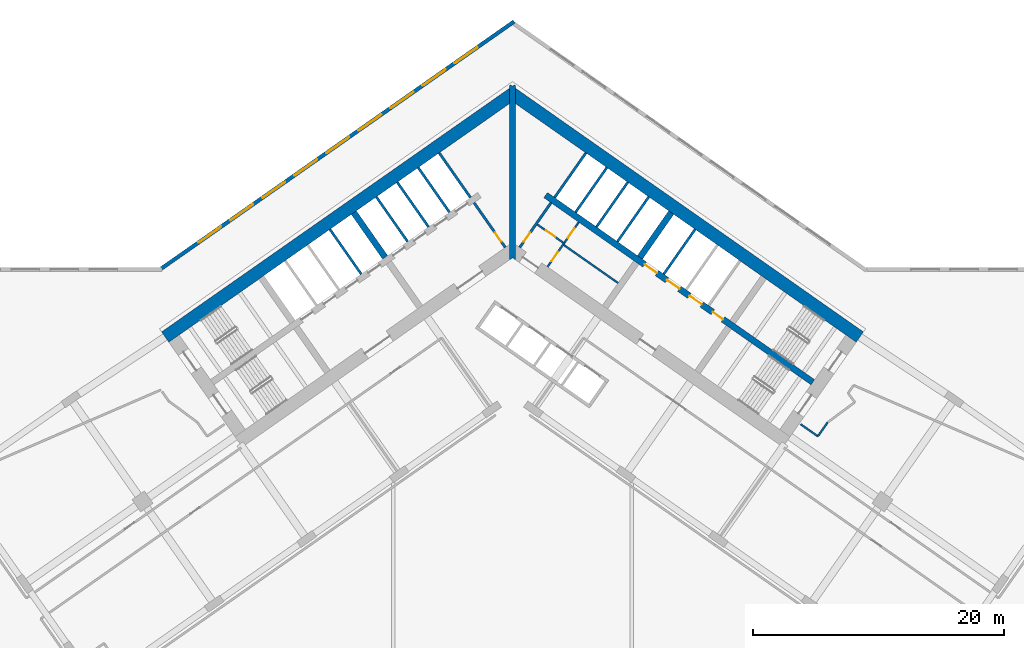
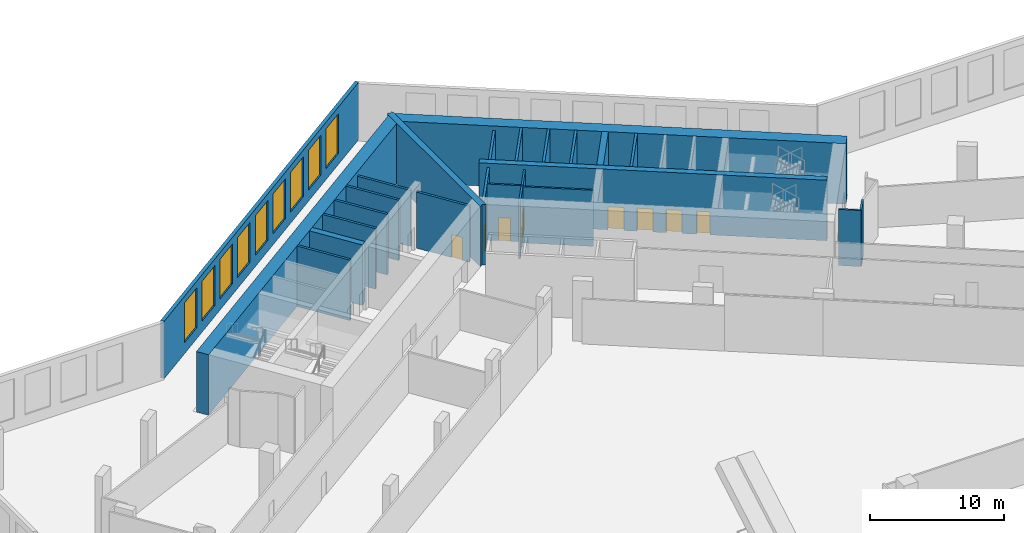
# One storey, part 11 of 26: 24 walls, 9 doors, 9 windows, 18 openings.
"""IFC4 building model written with IfcOpenShell, lengths in metres."""

from ifc_helpers import new_model, si_unit, direction, frame, frame_2d, origin, place, context, subcontext, project, spatial, polyline, rectangle, outline, extrude, material, layer, layer_set, type_object, element, fill, save


model = new_model("IFC4")

# Units and contexts
model_context = context("Model", 3, precision=1e-05, world=origin(), true_north=direction((0.0, 1.0)))
body_context = subcontext(model_context, "Body", "Model", "MODEL_VIEW")
ifc_project = project(units=[si_unit("LENGTHUNIT", "METRE"), si_unit("AREAUNIT", "SQUARE_METRE"), si_unit("VOLUMEUNIT", "CUBIC_METRE"), si_unit("PLANEANGLEUNIT", "RADIAN"), si_unit("MASSUNIT", "GRAM", prefix="KILO")], contexts=[model_context])

# Site, building, storey
site_placement = place(None, origin())
site = spatial("IfcSite", under=ifc_project, at=site_placement, CompositionType="ELEMENT")
building_placement = place(site_placement, origin())
building = spatial("IfcBuilding", under=site, at=building_placement, Name="Tel Ilan Convention Tower", CompositionType="ELEMENT")
storey_placement = place(building_placement, frame((0.0, 0.0, 32.0)))
storey = spatial("IfcBuildingStorey", under=building, at=storey_placement, Name="L04", CompositionType="ELEMENT", Elevation=32.0)

# Wall, openings, doors
ifc_material_1 = material(Name="Gypsum Plasterboard on Steel Stud", Category="steel")
ifc_layer_1 = layer(ifc_material_1, 0.14990234375)
ifc_layer_set_1 = layer_set([ifc_layer_1], Name="Core Room Partition Wall 150 mm EI 60")
wall_type_1 = type_object("IfcWallType", Name="Core Room Partition Wall 150 mm EI 60", PredefinedType="PARTITIONING", material=ifc_layer_set_1)
wall_1_placement = place(storey_placement, frame((2.78515625, -1.9501953125, 0.0), z_axis=(0.0, 0.0, 1.0), x_axis=(0.57356780395, 0.819158088694, 0.0)))
wall_1 = element("IfcWall", 1, at=wall_1_placement, inside=storey, type_object=wall_type_1, Name="L04 core wall wc-v1", PredefinedType="PARTITIONING", context=body_context, shape_type="SweptSolid", body=[
    extrude(rectangle(XDim=4.35009765625, YDim=0.14990234375, at=frame_2d((2.175048828125, 0.0))), origin(), (0.0, 0.0, 1.0), 5.10009765625),
])
opening_1_placement = place(wall_1_placement, frame((0.550048828125, 0.0, 0.0)))
opening_1 = element("IfcOpeningElement", 2, at=opening_1_placement, cuts=wall_1, Name="Opening CD0709", PredefinedType="OPENING", context=body_context, shape_type="SweptSolid", body=[
    extrude(rectangle(XDim=0.89990234375, YDim=2.10009765625, at=frame_2d((0.449951171875, 1.050048828125))), frame((0.0, 0.0849609375, 0.0), z_axis=(0.0, -1.0, 0.0), x_axis=(1.0, 0.0, 0.0)), (0.0, 0.0, 1.0), 0.169921875),
])
opening_2_placement = place(wall_1_placement, frame((2.824951171875, 0.0, 0.0)))
opening_2 = element("IfcOpeningElement", 3, at=opening_2_placement, cuts=wall_1, Name="Opening CD0710", PredefinedType="OPENING", context=body_context, shape_type="SweptSolid", body=[
    extrude(rectangle(XDim=0.89990234375, YDim=2.10009765625, at=frame_2d((0.449951171875, 1.050048828125))), frame((0.0, 0.0849609375, 0.0), z_axis=(0.0, -1.0, 0.0), x_axis=(1.0, 0.0, 0.0)), (0.0, 0.0, 1.0), 0.169921875),
])
ifc_material_2 = material(Name="Laminated Timber Door Leaf", Category="wood")
door_type_1 = type_object("IfcDoorType", Name="Toilet Door 900 x 2100 FD30S", OperationType="NOTDEFINED", PredefinedType="DOOR", material=ifc_material_2)
door_1_placement = place(opening_1_placement, origin())
door_1 = element("IfcDoor", 4, at=door_1_placement, inside=storey, type_object=door_type_1, Name="Women's WC door", OperationType="SINGLE_SWING_RIGHT", OverallHeight=2.10009765625, OverallWidth=0.89990234375, PredefinedType="DOOR", context=body_context, shape_type="SweptSolid", body=[
    extrude(rectangle(XDim=0.89990234375, YDim=2.10009765625, at=frame_2d((0.449951171875, 1.050048828125))), frame((0.0, 0.02490234375, 0.0), z_axis=(0.0, -1.0, 0.0), x_axis=(1.0, 0.0, 0.0)), (0.0, 0.0, 1.0), 0.050048828125),
])
fill(opening_1, door_1)
door_2_placement = place(opening_2_placement, origin())
door_2 = element("IfcDoor", 5, at=door_2_placement, inside=storey, type_object=door_type_1, Name="Men's WC door", OperationType="SINGLE_SWING_RIGHT", OverallHeight=2.10009765625, OverallWidth=0.89990234375, PredefinedType="DOOR", context=body_context, shape_type="SweptSolid", body=[
    extrude(rectangle(XDim=0.89990234375, YDim=2.10009765625, at=frame_2d((0.449951171875, 1.050048828125))), frame((0.0, 0.02490234375, 0.0), z_axis=(0.0, -1.0, 0.0), x_axis=(1.0, 0.0, 0.0)), (0.0, 0.0, 1.0), 0.050048828125),
])
fill(opening_2, door_2)

# Wall, opening, door
wall_2_placement = place(storey_placement, frame((1.974609375, 1.42529296875, 0.0), z_axis=(0.0, 0.0, 1.0), x_axis=(0.819103967032, -0.573645091666, 0.0)))
wall_2 = element("IfcWall", 6, at=wall_2_placement, inside=storey, type_object=wall_type_1, Name="L04 core wall wc-h1", PredefinedType="PARTITIONING", context=body_context, shape_type="SweptSolid", body=[
    extrude(rectangle(XDim=2.599853515625, YDim=0.14990234375, at=frame_2d((1.2998046875, 0.0))), origin(), (0.0, 0.0, 1.0), 5.10009765625),
])
opening_3_placement = place(wall_2_placement, frame((0.85009765625, 0.0, 0.0)))
opening_3 = element("IfcOpeningElement", 7, at=opening_3_placement, cuts=wall_2, Name="Opening CD0708", PredefinedType="OPENING", context=body_context, shape_type="SweptSolid", body=[
    extrude(rectangle(XDim=0.89990234375, YDim=2.10009765625, at=frame_2d((0.449951171875, 1.050048828125))), frame((0.0, 0.0849609375, 0.0), z_axis=(0.0, -1.0, 0.0), x_axis=(1.0, 0.0, 0.0)), (0.0, 0.0, 1.0), 0.169921875),
])
door_3_placement = place(opening_3_placement, origin())
door_3 = element("IfcDoor", 8, at=door_3_placement, inside=storey, type_object=door_type_1, Name="Accessible WC door", OperationType="SINGLE_SWING_RIGHT", OverallHeight=2.10009765625, OverallWidth=0.89990234375, PredefinedType="DOOR", context=body_context, shape_type="SweptSolid", body=[
    extrude(rectangle(XDim=0.89990234375, YDim=2.10009765625, at=frame_2d((0.449951171875, 1.050048828125))), frame((0.0, 0.02490234375, 0.0), z_axis=(0.0, -1.0, 0.0), x_axis=(1.0, 0.0, 0.0)), (0.0, 0.0, 1.0), 0.050048828125),
])
fill(opening_3, door_3)

# Wall
wall_3_placement = place(storey_placement, frame((4.03271484375, -0.16845703125, 0.0), z_axis=(0.0, 0.0, 1.0), x_axis=(0.819146154531, -0.573584847705, 0.0)))
element("IfcWall", 9, at=wall_3_placement, inside=storey, type_object=wall_type_1, Name="L04 core wall wc-h2", PredefinedType="PARTITIONING", context=body_context, shape_type="SweptSolid", body=[
    extrude(rectangle(XDim=5.349853515625, YDim=0.14990234375, at=frame_2d((2.6748046875, 0.0))), origin(), (0.0, 0.0, 1.0), 5.10009765625),
])

# Wall, opening, door
ifc_material_3 = material(Name="Concrete C30/37", Category="concrete")
ifc_layer_2 = layer(ifc_material_3, 0.199951171875)
ifc_layer_set_2 = layer_set([ifc_layer_2], Name="Core Service Room Wall 200 mm C30/37")
wall_type_2 = type_object("IfcWallType", Name="Core Service Room Wall 200 mm C30/37", PredefinedType="SOLIDWALL", material=ifc_layer_set_2)
wall_4_placement = place(storey_placement, frame((-0.573486328125, -0.401611328125, 0.0), z_axis=(0.0, 0.0, 1.0), x_axis=(-0.57356780395, 0.819158088694, 0.0)))
wall_4 = element("IfcWall", 10, at=wall_4_placement, inside=storey, type_object=wall_type_2, Name="L04 core wall apex-W", PredefinedType="SOLIDWALL", context=body_context, shape_type="SweptSolid", body=[
    extrude(rectangle(XDim=4.35009765625, YDim=0.199951171875, at=frame_2d((2.175048828125, 0.0))), origin(), (0.0, 0.0, 1.0), 5.10009765625),
])
opening_4_placement = place(wall_4_placement, frame((0.550048828125, 0.0, 0.0)))
opening_4 = element("IfcOpeningElement", 11, at=opening_4_placement, cuts=wall_4, Name="Opening CD0702", PredefinedType="OPENING", context=body_context, shape_type="SweptSolid", body=[
    extrude(rectangle(XDim=0.89990234375, YDim=2.10009765625, at=frame_2d((0.449951171875, 1.050048828125))), frame((0.0, 0.10986328125, 0.0), z_axis=(0.0, -1.0, 0.0), x_axis=(1.0, 0.0, 0.0)), (0.0, 0.0, 1.0), 0.219970703125),
])
ifc_material_4 = material(Name="Galvanised Steel Door Leaf", Category="steel")
door_type_2 = type_object("IfcDoorType", Name="Service Room Door 900 x 2100 FD60", OperationType="NOTDEFINED", PredefinedType="DOOR", material=ifc_material_4)
door_4_placement = place(opening_4_placement, origin())
door_4 = element("IfcDoor", 12, at=door_4_placement, inside=storey, type_object=door_type_2, Name="Electrical Room door", OperationType="SINGLE_SWING_RIGHT", OverallHeight=2.10009765625, OverallWidth=0.89990234375, PredefinedType="DOOR", context=body_context, shape_type="SweptSolid", body=[
    extrude(rectangle(XDim=0.89990234375, YDim=2.10009765625, at=frame_2d((0.449951171875, 1.050048828125))), frame((0.0, 0.02490234375, 0.0), z_axis=(0.0, -1.0, 0.0), x_axis=(1.0, 0.0, 0.0)), (0.0, 0.0, 1.0), 0.050048828125),
])
fill(opening_4, door_4)

# Wall
wall_5_placement = place(storey_placement, frame((-3.355224609375, 3.5712890625, 0.0), z_axis=(0.0, 0.0, 1.0), x_axis=(-0.57356780395, 0.819158088694, 0.0)))
element("IfcWall", 13, at=wall_5_placement, inside=storey, type_object=wall_type_2, Name="L04 core wall apex-W-b", PredefinedType="SOLIDWALL", context=body_context, shape_type="SweptSolid", body=[
    extrude(rectangle(XDim=4.35009765625, YDim=0.199951171875, at=frame_2d((2.175048828125, 0.0))), origin(), (0.0, 0.0, 1.0), 5.10009765625),
])

# Wall, opening, door
wall_6_placement = place(storey_placement, frame((0.573486328125, -0.401611328125, 0.0), z_axis=(0.0, 0.0, 1.0), x_axis=(0.57356780395, 0.819158088694, 0.0)))
wall_6 = element("IfcWall", 14, at=wall_6_placement, inside=storey, type_object=wall_type_2, Name="L04 core wall apex-E", PredefinedType="SOLIDWALL", context=body_context, shape_type="SweptSolid", body=[
    extrude(rectangle(XDim=4.35009765625, YDim=0.199951171875, at=frame_2d((2.175048828125, 0.0))), origin(), (0.0, 0.0, 1.0), 5.10009765625),
])
opening_5_placement = place(wall_6_placement, frame((0.550048828125, 0.0, 0.0)))
opening_5 = element("IfcOpeningElement", 15, at=opening_5_placement, cuts=wall_6, Name="Opening CD0701", PredefinedType="OPENING", context=body_context, shape_type="SweptSolid", body=[
    extrude(rectangle(XDim=0.89990234375, YDim=2.10009765625, at=frame_2d((0.449951171875, 1.050048828125))), frame((0.0, 0.10986328125, 0.0), z_axis=(0.0, -1.0, 0.0), x_axis=(1.0, 0.0, 0.0)), (0.0, 0.0, 1.0), 0.219970703125),
])
door_5_placement = place(opening_5_placement, origin())
door_5 = element("IfcDoor", 16, at=door_5_placement, inside=storey, type_object=door_type_2, Name="Store Room door", OperationType="SINGLE_SWING_RIGHT", OverallHeight=2.10009765625, OverallWidth=0.89990234375, PredefinedType="DOOR", context=body_context, shape_type="SweptSolid", body=[
    extrude(rectangle(XDim=0.89990234375, YDim=2.10009765625, at=frame_2d((0.449951171875, 1.050048828125))), frame((0.0, 0.02490234375, 0.0), z_axis=(0.0, -1.0, 0.0), x_axis=(1.0, 0.0, 0.0)), (0.0, 0.0, 1.0), 0.050048828125),
])
fill(opening_5, door_5)

# Walls
wall_7_placement = place(storey_placement, frame((3.355224609375, 3.5712890625, 0.0), z_axis=(0.0, 0.0, 1.0), x_axis=(0.57356780395, 0.819158088694, 0.0)))
element("IfcWall", 17, at=wall_7_placement, inside=storey, type_object=wall_type_2, Name="L04 core wall apex-E-b", PredefinedType="SOLIDWALL", context=body_context, shape_type="SweptSolid", body=[
    extrude(rectangle(XDim=4.35009765625, YDim=0.199951171875, at=frame_2d((2.175048828125, 0.0))), origin(), (0.0, 0.0, 1.0), 5.10009765625),
])
ifc_material_5 = material(Name="Concrete C60/75", Category="concrete")
ifc_layer_3 = layer(ifc_material_5, 1.0)
ifc_layer_set_3 = layer_set([ifc_layer_3], Name="Core Shear Wall 1000 mm C60/75")
wall_type_3 = type_object("IfcWallType", Name="Core Shear Wall 1000 mm C60/75", PredefinedType="SHEAR", material=ifc_layer_set_3)
wall_8_placement = place(storey_placement, frame((0.036865234375, 11.8671875, 0.0), z_axis=(0.0, 0.0, 1.0), x_axis=(-0.819155306259, -0.573571777746, 0.0)))
element("IfcWall", 18, at=wall_8_placement, inside=storey, type_object=wall_type_3, Name="L04 core wall W-back", PredefinedType="SHEAR", context=body_context, shape_type="SweptSolid", body=[
    extrude(outline(polyline([(33.8369140625, 0.5), (0.7001953125, 0.499755859375), (0.0, -0.5), (33.8369140625, -0.5), (33.8369140625, 0.5)])), origin(), (0.0, 0.0, 1.0), 5.5),
])
wall_9_placement = place(storey_placement, frame((-0.036865234375, 11.8671875, 0.0), z_axis=(0.0, 0.0, 1.0), x_axis=(0.819155306259, -0.573571777746, 0.0)))
element("IfcWall", 19, at=wall_9_placement, inside=storey, type_object=wall_type_3, Name="L04 core wall E-back", PredefinedType="SHEAR", context=body_context, shape_type="SweptSolid", body=[
    extrude(outline(polyline([(33.8369140625, 0.5), (0.0, 0.5), (0.7001953125, -0.499755859375), (33.8369140625, -0.5), (33.8369140625, 0.5)])), origin(), (0.0, 0.0, 1.0), 5.5),
])
ifc_material_6 = material(Name="Concrete C60/75", Category="concrete")
ifc_layer_4 = layer(ifc_material_6, 0.5)
ifc_layer_set_4 = layer_set([ifc_layer_4], Name="Core Shear Wall 500 mm C60/75")
wall_type_4 = type_object("IfcWallType", Name="Core Shear Wall 500 mm C60/75", PredefinedType="SHEAR", material=ifc_layer_set_4)
for number, where, z_axis, x_axis, name in (
    (20, (-10.154296875, -1.189208984375, 0.0), (0.0, 0.0, 1.0), (-0.573594173421, 0.819139624372, 0.0), "L04 core wall W-cross1-2"),
    (21, (10.154296875, -1.189208984375, 0.0), (0.0, 0.0, 1.0), (0.573594173421, 0.819139624372, 0.0), "L04 core wall E-cross1-2"),
):
    element("IfcWall", number, at=place(storey_placement, frame(where, z_axis=z_axis, x_axis=x_axis)), inside=storey, type_object=wall_type_4, Name=name, PredefinedType="SHEAR", context=body_context, shape_type="SweptSolid", body=[
        extrude(outline(polyline([(4.349853515625, -0.25), (4.349853515625, 0.25), (-0.000244140625, 0.25), (-0.000244140625, -0.25), (4.349853515625, -0.25)])), origin(), (0.0, 0.0, 1.0), 5.5),
    ])

# Wall, openings, doors
wall_10_placement = place(storey_placement, frame((2.638427734375, 3.76806640625, 0.0), z_axis=(0.0, 0.0, 1.0), x_axis=(0.819148977158, -0.573580816643, 0.0)))
wall_10 = element("IfcWall", 22, at=wall_10_placement, inside=storey, type_object=wall_type_4, Name="L04 core wall E-spine", PredefinedType="SHEAR", context=body_context, shape_type="SweptSolid", body=[
    extrude(outline(polyline([(0.0, 0.25), (0.0, -0.25), (26.0, -0.249755859375), (26.0, 0.250244140625), (0.0, 0.25)])), origin(), (0.0, 0.0, 1.0), 5.5),
])
opening_6_placement = place(wall_10_placement, frame((9.637451171875, 0.0, 0.0)))
opening_6 = element("IfcOpeningElement", 23, at=opening_6_placement, cuts=wall_10, Name="Opening LD0701", PredefinedType="OPENING", context=body_context, shape_type="SweptSolid", body=[
    extrude(rectangle(XDim=1.199951171875, YDim=2.10009765625, at=frame_2d((0.60009765625, 1.050048828125))), frame((0.0, 0.260009765625, 0.0), z_axis=(0.0, -1.0, 0.0), x_axis=(1.0, 0.0, 0.0)), (0.0, 0.0, 1.0), 0.52001953125),
])
opening_7_placement = place(wall_10_placement, frame((11.8125, 0.0, 0.0)))
opening_7 = element("IfcOpeningElement", 24, at=opening_7_placement, cuts=wall_10, Name="Opening LD0702", PredefinedType="OPENING", context=body_context, shape_type="SweptSolid", body=[
    extrude(rectangle(XDim=1.199951171875, YDim=2.10009765625, at=frame_2d((0.60009765625, 1.050048828125))), frame((0.0, 0.260009765625, 0.0), z_axis=(0.0, -1.0, 0.0), x_axis=(1.0, 0.0, 0.0)), (0.0, 0.0, 1.0), 0.52001953125),
])
opening_8_placement = place(wall_10_placement, frame((13.987548828125, 0.0, 0.0)))
opening_8 = element("IfcOpeningElement", 25, at=opening_8_placement, cuts=wall_10, Name="Opening LD0703", PredefinedType="OPENING", context=body_context, shape_type="SweptSolid", body=[
    extrude(rectangle(XDim=1.199951171875, YDim=2.10009765625, at=frame_2d((0.60009765625, 1.050048828125))), frame((0.0, 0.260009765625, 0.0), z_axis=(0.0, -1.0, 0.0), x_axis=(1.0, 0.0, 0.0)), (0.0, 0.0, 1.0), 0.52001953125),
])
opening_9_placement = place(wall_10_placement, frame((16.262451171875, 0.0, 0.0)))
opening_9 = element("IfcOpeningElement", 26, at=opening_9_placement, cuts=wall_10, Name="Opening CD0707", PredefinedType="OPENING", context=body_context, shape_type="SweptSolid", body=[
    extrude(rectangle(XDim=1.0, YDim=2.10009765625, at=frame_2d((0.5, 1.050048828125))), frame((0.0, 0.260009765625, 0.0), z_axis=(0.0, -1.0, 0.0), x_axis=(1.0, 0.0, 0.0)), (0.0, 0.0, 1.0), 0.52001953125),
])
ifc_material_7 = material(Name="Stainless Steel Sliding Door Leaf", Category="steel")
door_type_3 = type_object("IfcDoorType", Name="Lift Landing Door 1200 x 2100 FD120", OperationType="NOTDEFINED", PredefinedType="DOOR", material=ifc_material_7)
door_6_placement = place(opening_6_placement, origin())
door_6 = element("IfcDoor", 27, at=door_6_placement, inside=storey, type_object=door_type_3, Name="Lift FL1 landing door", OperationType="SLIDING_TO_LEFT", OverallHeight=2.10009765625, OverallWidth=1.199951171875, PredefinedType="DOOR", context=body_context, shape_type="SweptSolid", body=[
    extrude(rectangle(XDim=1.199951171875, YDim=2.10009765625, at=frame_2d((0.60009765625, 1.050048828125))), frame((0.0, 0.02490234375, 0.0), z_axis=(0.0, -1.0, 0.0), x_axis=(1.0, 0.0, 0.0)), (0.0, 0.0, 1.0), 0.050048828125),
])
fill(opening_6, door_6)
door_7_placement = place(opening_7_placement, origin())
door_7 = element("IfcDoor", 28, at=door_7_placement, inside=storey, type_object=door_type_3, Name="Lift FL2 landing door", OperationType="SLIDING_TO_RIGHT", OverallHeight=2.10009765625, OverallWidth=1.199951171875, PredefinedType="DOOR", context=body_context, shape_type="SweptSolid", body=[
    extrude(rectangle(XDim=1.199951171875, YDim=2.10009765625, at=frame_2d((0.60009765625, 1.050048828125))), frame((0.0, 0.02490234375, 0.0), z_axis=(0.0, -1.0, 0.0), x_axis=(1.0, 0.0, 0.0)), (0.0, 0.0, 1.0), 0.050048828125),
])
fill(opening_7, door_7)
door_8_placement = place(opening_8_placement, origin())
door_8 = element("IfcDoor", 29, at=door_8_placement, inside=storey, type_object=door_type_3, Name="Lift FL3 landing door", OperationType="SLIDING_TO_LEFT", OverallHeight=2.10009765625, OverallWidth=1.199951171875, PredefinedType="DOOR", context=body_context, shape_type="SweptSolid", body=[
    extrude(rectangle(XDim=1.199951171875, YDim=2.10009765625, at=frame_2d((0.60009765625, 1.050048828125))), frame((0.0, 0.02490234375, 0.0), z_axis=(0.0, -1.0, 0.0), x_axis=(1.0, 0.0, 0.0)), (0.0, 0.0, 1.0), 0.050048828125),
])
fill(opening_8, door_8)
ifc_material_8 = material(Name="Galvanised Steel Door Leaf", Category="steel")
door_type_4 = type_object("IfcDoorType", Name="Service Room Door 1000 x 2100 FD60", OperationType="NOTDEFINED", PredefinedType="DOOR", material=ifc_material_8)
door_9_placement = place(opening_9_placement, origin())
door_9 = element("IfcDoor", 30, at=door_9_placement, inside=storey, type_object=door_type_4, Name="Plant Room door", OperationType="SINGLE_SWING_RIGHT", OverallHeight=2.10009765625, OverallWidth=1.0, PredefinedType="DOOR", context=body_context, shape_type="SweptSolid", body=[
    extrude(rectangle(XDim=1.0, YDim=2.10009765625, at=frame_2d((0.5, 1.050048828125))), frame((0.0, 0.02490234375, 0.0), z_axis=(0.0, -1.0, 0.0), x_axis=(1.0, 0.0, 0.0)), (0.0, 0.0, 1.0), 0.050048828125),
])
fill(opening_9, door_9)

# Walls
wall_11_placement = place(storey_placement, frame((0.0, -1.395751953125, 0.0), z_axis=(0.0, 0.0, 1.0), x_axis=(0.0, 1.0, 0.0)))
element("IfcWall", 31, at=wall_11_placement, inside=storey, type_object=wall_type_4, Name="L04 core wall K-central", PredefinedType="SHEAR", context=body_context, shape_type="SweptSolid", body=[
    extrude(outline(polyline([(0.0, -0.25), (0.175048828125, -0.25), (1.220703125, -0.25), (12.451904296875, -0.25), (13.84765625, -0.25), (13.85693359375, -0.25), (13.96826171875, -0.172119140625), (13.84765625, 0.0), (13.96826171875, 0.172119140625), (13.85693359375, 0.25), (13.84765625, 0.25), (12.451904296875, 0.25), (1.220703125, 0.25), (0.175048828125, 0.25), (0.0, 0.25), (0.175048828125, 0.0), (0.0, -0.25)])), origin(), (0.0, 0.0, 1.0), 5.5),
])
ifc_material_9 = material(Name="Plasterboard on Steel Studs", Category="steel")
ifc_layer_5 = layer(ifc_material_9, 0.14990234375)
ifc_layer_set_5 = layer_set([ifc_layer_5], Name="Fire-rated Partition 150 EI 60")
wall_type_5 = type_object("IfcWallType", Name="Fire-rated Partition 150 EI 60", PredefinedType="PARTITIONING", material=ifc_layer_set_5)
wall_12_placement = place(storey_placement, frame((22.961181640625, -14.490478515625, 0.0), z_axis=(0.0, 0.0, 1.0), x_axis=(0.819109000826, -0.573637903879, 0.0)))
element("IfcWall", 32, at=wall_12_placement, inside=storey, type_object=wall_type_5, Name="Partition 013", PredefinedType="PARTITIONING", context=body_context, shape_type="SweptSolid", body=[
    extrude(rectangle(XDim=1.679931640625, YDim=0.14990234375, at=frame_2d((0.83984375, 0.0))), origin(), (0.0, 0.0, 1.0), 5.10009765625),
])
wall_13_placement = place(storey_placement, frame((24.337158203125, -15.4541015625, 0.0), z_axis=(0.0, 0.0, 1.0), x_axis=(0.573571252353, 0.819155674139, 0.0)))
element("IfcWall", 33, at=wall_13_placement, inside=storey, type_object=wall_type_5, Name="Partition 014", PredefinedType="PARTITIONING", context=body_context, shape_type="SweptSolid", body=[
    extrude(rectangle(XDim=1.35400390625, YDim=0.14990234375, at=frame_2d((0.677001953125, 0.0))), origin(), (0.0, 0.0, 1.0), 5.10009765625),
])
ifc_material_10 = material(Name="Concrete C30/37", Category="concrete")
ifc_layer_6 = layer(ifc_material_10, 0.199951171875)
ifc_layer_set_6 = layer_set([ifc_layer_6], Name="Lift Shaft Wall 200 mm C30/37")
wall_type_6 = type_object("IfcWallType", Name="Lift Shaft Wall 200 mm C30/37", PredefinedType="SOLIDWALL", material=ifc_layer_set_6)
wall_14_placement = place(storey_placement, frame((-5.0244140625, 2.402587890625, 0.0), z_axis=(0.0, 0.0, 1.0), x_axis=(-0.573530143085, 0.819184457233, 0.0)))
element("IfcWall", 34, at=wall_14_placement, inside=storey, type_object=wall_type_6, Name="L04 core wall bank-W1-p0", PredefinedType="SOLIDWALL", context=body_context, shape_type="SweptSolid", body=[
    extrude(rectangle(XDim=4.35009765625, YDim=0.199951171875, at=frame_2d((2.175048828125, 0.0))), origin(), (0.0, 0.0, 1.0), 5.5),
])
for number, where, z_axis, x_axis, name in (
    (35, (-6.693359375, 1.234130859375, 0.0), (0.0, 0.0, 1.0), (-0.573594173421, 0.819139624372, 0.0), "L04 core wall bank-W1-p1"),
    (36, (-8.3623046875, 0.0654296875, 0.0), (0.0, 0.0, 1.0), (-0.573594173421, 0.819139624372, 0.0), "L04 core wall bank-W1-p2"),
    (37, (-12.05859375, -2.52294921875, 0.0), (0.0, 0.0, 1.0), (-0.573594173421, 0.819139624372, 0.0), "L04 core wall bank-W2-p0"),
):
    element("IfcWall", number, at=place(storey_placement, frame(where, z_axis=z_axis, x_axis=x_axis)), inside=storey, type_object=wall_type_6, Name=name, PredefinedType="SOLIDWALL", context=body_context, shape_type="SweptSolid", body=[
        extrude(rectangle(XDim=4.349853515625, YDim=0.199951171875, at=frame_2d((2.1748046875, 0.0))), origin(), (0.0, 0.0, 1.0), 5.5),
    ])
wall_15_placement = place(storey_placement, frame((5.0244140625, 2.402587890625, 0.0), z_axis=(0.0, 0.0, 1.0), x_axis=(0.573530143085, 0.819184457233, 0.0)))
element("IfcWall", 38, at=wall_15_placement, inside=storey, type_object=wall_type_6, Name="L04 core wall bank-E1-p0", PredefinedType="SOLIDWALL", context=body_context, shape_type="SweptSolid", body=[
    extrude(rectangle(XDim=4.35009765625, YDim=0.199951171875, at=frame_2d((2.175048828125, 0.0))), origin(), (0.0, 0.0, 1.0), 5.5),
])
for number, where, z_axis, x_axis, name in (
    (39, (6.693359375, 1.234130859375, 0.0), (0.0, 0.0, 1.0), (0.573594173421, 0.819139624372, 0.0), "L04 core wall bank-E1-p1"),
    (40, (8.3623046875, 0.0654296875, 0.0), (0.0, 0.0, 1.0), (0.573594173421, 0.819139624372, 0.0), "L04 core wall bank-E1-p2"),
    (41, (12.05859375, -2.52294921875, 0.0), (0.0, 0.0, 1.0), (0.573594173421, 0.819139624372, 0.0), "L04 core wall bank-E2-p0"),
):
    element("IfcWall", number, at=place(storey_placement, frame(where, z_axis=z_axis, x_axis=x_axis)), inside=storey, type_object=wall_type_6, Name=name, PredefinedType="SOLIDWALL", context=body_context, shape_type="SweptSolid", body=[
        extrude(rectangle(XDim=4.349853515625, YDim=0.199951171875, at=frame_2d((2.1748046875, 0.0))), origin(), (0.0, 0.0, 1.0), 5.5),
    ])

# Wall, openings, windows
ifc_material_11 = material(Name="Bronze aluminium cladding panel on insulated steel frame", Category="steel")
ifc_layer_7 = layer(ifc_material_11, 0.300048828125)
ifc_layer_set_7 = layer_set([ifc_layer_7], Name="PODIUM CLADDING WALL 300")
wall_type_7 = type_object("IfcWallType", Name="PODIUM CLADDING WALL 300", PredefinedType="SOLIDWALL", material=ifc_layer_set_7)
wall_16_placement = place(storey_placement, frame((-27.966064453125, -2.06396484375, 0.0), z_axis=(0.0, 0.0, 1.0), x_axis=(0.819149627982, 0.57357988718, 0.0)))
wall_16 = element("IfcWall", 42, at=wall_16_placement, inside=storey, type_object=wall_type_7, Name="Podium cladding wall", PredefinedType="SOLIDWALL", context=body_context, shape_type="SweptSolid", body=[
    extrude(rectangle(XDim=34.290283203125, YDim=0.300048828125, at=frame_2d((17.14501953125, 0.0))), origin(), (0.0, 0.0, 1.0), 5.219970703125),
])
opening_10_placement = place(wall_16_placement, frame((3.5673828125, 0.0, 1.0)))
opening_10 = element("IfcOpeningElement", 43, at=opening_10_placement, cuts=wall_16, Name="Opening W-07.031", PredefinedType="OPENING", context=body_context, shape_type="SweptSolid", body=[
    extrude(rectangle(XDim=2.21728515625, YDim=3.6201171875, at=frame_2d((1.108642578125, 1.81005859375))), frame((0.0, 0.159912109375, 0.0), z_axis=(0.0, -1.0, 0.0), x_axis=(1.0, 0.0, 0.0)), (0.0, 0.0, 1.0), 0.320068359375),
])
opening_11_placement = place(wall_16_placement, frame((6.6845703125, 0.0, 1.0)))
opening_11 = element("IfcOpeningElement", 44, at=opening_11_placement, cuts=wall_16, Name="Opening W-07.032", PredefinedType="OPENING", context=body_context, shape_type="SweptSolid", body=[
    extrude(rectangle(XDim=2.21728515625, YDim=3.6201171875, at=frame_2d((1.108642578125, 1.81005859375))), frame((0.0, 0.159912109375, 0.0), z_axis=(0.0, -1.0, 0.0), x_axis=(1.0, 0.0, 0.0)), (0.0, 0.0, 1.0), 0.320068359375),
])
opening_12_placement = place(wall_16_placement, frame((9.802001953125, 0.0, 1.0)))
opening_12 = element("IfcOpeningElement", 45, at=opening_12_placement, cuts=wall_16, Name="Opening W-07.033", PredefinedType="OPENING", context=body_context, shape_type="SweptSolid", body=[
    extrude(rectangle(XDim=2.21728515625, YDim=3.6201171875, at=frame_2d((1.108642578125, 1.81005859375))), frame((0.0, 0.159912109375, 0.0), z_axis=(0.0, -1.0, 0.0), x_axis=(1.0, 0.0, 0.0)), (0.0, 0.0, 1.0), 0.320068359375),
])
opening_13_placement = place(wall_16_placement, frame((12.919189453125, 0.0, 1.0)))
opening_13 = element("IfcOpeningElement", 46, at=opening_13_placement, cuts=wall_16, Name="Opening W-07.034", PredefinedType="OPENING", context=body_context, shape_type="SweptSolid", body=[
    extrude(rectangle(XDim=2.21728515625, YDim=3.6201171875, at=frame_2d((1.108642578125, 1.81005859375))), frame((0.0, 0.159912109375, 0.0), z_axis=(0.0, -1.0, 0.0), x_axis=(1.0, 0.0, 0.0)), (0.0, 0.0, 1.0), 0.320068359375),
])
opening_14_placement = place(wall_16_placement, frame((16.03662109375, 0.0, 1.0)))
opening_14 = element("IfcOpeningElement", 47, at=opening_14_placement, cuts=wall_16, Name="Opening W-07.035", PredefinedType="OPENING", context=body_context, shape_type="SweptSolid", body=[
    extrude(rectangle(XDim=2.21728515625, YDim=3.6201171875, at=frame_2d((1.108642578125, 1.81005859375))), frame((0.0, 0.159912109375, 0.0), z_axis=(0.0, -1.0, 0.0), x_axis=(1.0, 0.0, 0.0)), (0.0, 0.0, 1.0), 0.320068359375),
])
opening_15_placement = place(wall_16_placement, frame((19.15380859375, 0.0, 1.0)))
opening_15 = element("IfcOpeningElement", 48, at=opening_15_placement, cuts=wall_16, Name="Opening W-07.036", PredefinedType="OPENING", context=body_context, shape_type="SweptSolid", body=[
    extrude(rectangle(XDim=2.21728515625, YDim=3.6201171875, at=frame_2d((1.108642578125, 1.81005859375))), frame((0.0, 0.159912109375, 0.0), z_axis=(0.0, -1.0, 0.0), x_axis=(1.0, 0.0, 0.0)), (0.0, 0.0, 1.0), 0.320068359375),
])
opening_16_placement = place(wall_16_placement, frame((22.27099609375, 0.0, 1.0)))
opening_16 = element("IfcOpeningElement", 49, at=opening_16_placement, cuts=wall_16, Name="Opening W-07.037", PredefinedType="OPENING", context=body_context, shape_type="SweptSolid", body=[
    extrude(rectangle(XDim=2.21728515625, YDim=3.6201171875, at=frame_2d((1.108642578125, 1.81005859375))), frame((0.0, 0.159912109375, 0.0), z_axis=(0.0, -1.0, 0.0), x_axis=(1.0, 0.0, 0.0)), (0.0, 0.0, 1.0), 0.320068359375),
])
opening_17_placement = place(wall_16_placement, frame((25.388427734375, 0.0, 1.0)))
opening_17 = element("IfcOpeningElement", 50, at=opening_17_placement, cuts=wall_16, Name="Opening W-07.038", PredefinedType="OPENING", context=body_context, shape_type="SweptSolid", body=[
    extrude(rectangle(XDim=2.21728515625, YDim=3.6201171875, at=frame_2d((1.108642578125, 1.81005859375))), frame((0.0, 0.159912109375, 0.0), z_axis=(0.0, -1.0, 0.0), x_axis=(1.0, 0.0, 0.0)), (0.0, 0.0, 1.0), 0.320068359375),
])
opening_18_placement = place(wall_16_placement, frame((28.505615234375, 0.0, 1.0)))
opening_18 = element("IfcOpeningElement", 51, at=opening_18_placement, cuts=wall_16, Name="Opening W-07.039", PredefinedType="OPENING", context=body_context, shape_type="SweptSolid", body=[
    extrude(rectangle(XDim=2.21728515625, YDim=3.6201171875, at=frame_2d((1.108642578125, 1.81005859375))), frame((0.0, 0.159912109375, 0.0), z_axis=(0.0, -1.0, 0.0), x_axis=(1.0, 0.0, 0.0)), (0.0, 0.0, 1.0), 0.320068359375),
])
ifc_material_12 = material(Name="Aluminium framed glazing, bronze anodised, tinted glass", Category="aluminium")
window_type = type_object("IfcWindowType", Name="PODIUM WINDOW 2217x3620", PartitioningType="SINGLE_PANEL", PredefinedType="WINDOW", material=ifc_material_12)
window_1_placement = place(opening_10_placement, origin())
window_1 = element("IfcWindow", 52, at=window_1_placement, inside=storey, type_object=window_type, Name="Podium window", OverallHeight=3.6201171875, OverallWidth=2.21728515625, PartitioningType="SINGLE_PANEL", PredefinedType="WINDOW", context=body_context, shape_type="SweptSolid", body=[
    extrude(rectangle(XDim=2.21728515625, YDim=3.6201171875, at=frame_2d((1.108642578125, 1.81005859375))), frame((0.0, 0.030029296875, 0.0), z_axis=(0.0, -1.0, 0.0), x_axis=(1.0, 0.0, 0.0)), (0.0, 0.0, 1.0), 0.06005859375),
])
fill(opening_10, window_1)
window_2_placement = place(opening_11_placement, origin())
window_2 = element("IfcWindow", 53, at=window_2_placement, inside=storey, type_object=window_type, Name="Podium window", OverallHeight=3.6201171875, OverallWidth=2.21728515625, PartitioningType="SINGLE_PANEL", PredefinedType="WINDOW", context=body_context, shape_type="SweptSolid", body=[
    extrude(rectangle(XDim=2.21728515625, YDim=3.6201171875, at=frame_2d((1.108642578125, 1.81005859375))), frame((0.0, 0.030029296875, 0.0), z_axis=(0.0, -1.0, 0.0), x_axis=(1.0, 0.0, 0.0)), (0.0, 0.0, 1.0), 0.06005859375),
])
fill(opening_11, window_2)
window_3_placement = place(opening_12_placement, origin())
window_3 = element("IfcWindow", 54, at=window_3_placement, inside=storey, type_object=window_type, Name="Podium window", OverallHeight=3.6201171875, OverallWidth=2.21728515625, PartitioningType="SINGLE_PANEL", PredefinedType="WINDOW", context=body_context, shape_type="SweptSolid", body=[
    extrude(rectangle(XDim=2.21728515625, YDim=3.6201171875, at=frame_2d((1.108642578125, 1.81005859375))), frame((0.0, 0.030029296875, 0.0), z_axis=(0.0, -1.0, 0.0), x_axis=(1.0, 0.0, 0.0)), (0.0, 0.0, 1.0), 0.06005859375),
])
fill(opening_12, window_3)
window_4_placement = place(opening_13_placement, origin())
window_4 = element("IfcWindow", 55, at=window_4_placement, inside=storey, type_object=window_type, Name="Podium window", OverallHeight=3.6201171875, OverallWidth=2.21728515625, PartitioningType="SINGLE_PANEL", PredefinedType="WINDOW", context=body_context, shape_type="SweptSolid", body=[
    extrude(rectangle(XDim=2.21728515625, YDim=3.6201171875, at=frame_2d((1.108642578125, 1.81005859375))), frame((0.0, 0.030029296875, 0.0), z_axis=(0.0, -1.0, 0.0), x_axis=(1.0, 0.0, 0.0)), (0.0, 0.0, 1.0), 0.06005859375),
])
fill(opening_13, window_4)
window_5_placement = place(opening_14_placement, origin())
window_5 = element("IfcWindow", 56, at=window_5_placement, inside=storey, type_object=window_type, Name="Podium window", OverallHeight=3.6201171875, OverallWidth=2.21728515625, PartitioningType="SINGLE_PANEL", PredefinedType="WINDOW", context=body_context, shape_type="SweptSolid", body=[
    extrude(rectangle(XDim=2.21728515625, YDim=3.6201171875, at=frame_2d((1.108642578125, 1.81005859375))), frame((0.0, 0.030029296875, 0.0), z_axis=(0.0, -1.0, 0.0), x_axis=(1.0, 0.0, 0.0)), (0.0, 0.0, 1.0), 0.06005859375),
])
fill(opening_14, window_5)
window_6_placement = place(opening_15_placement, origin())
window_6 = element("IfcWindow", 57, at=window_6_placement, inside=storey, type_object=window_type, Name="Podium window", OverallHeight=3.6201171875, OverallWidth=2.21728515625, PartitioningType="SINGLE_PANEL", PredefinedType="WINDOW", context=body_context, shape_type="SweptSolid", body=[
    extrude(rectangle(XDim=2.21728515625, YDim=3.6201171875, at=frame_2d((1.108642578125, 1.81005859375))), frame((0.0, 0.030029296875, 0.0), z_axis=(0.0, -1.0, 0.0), x_axis=(1.0, 0.0, 0.0)), (0.0, 0.0, 1.0), 0.06005859375),
])
fill(opening_15, window_6)
window_7_placement = place(opening_16_placement, origin())
window_7 = element("IfcWindow", 58, at=window_7_placement, inside=storey, type_object=window_type, Name="Podium window", OverallHeight=3.6201171875, OverallWidth=2.21728515625, PartitioningType="SINGLE_PANEL", PredefinedType="WINDOW", context=body_context, shape_type="SweptSolid", body=[
    extrude(rectangle(XDim=2.21728515625, YDim=3.6201171875, at=frame_2d((1.108642578125, 1.81005859375))), frame((0.0, 0.030029296875, 0.0), z_axis=(0.0, -1.0, 0.0), x_axis=(1.0, 0.0, 0.0)), (0.0, 0.0, 1.0), 0.06005859375),
])
fill(opening_16, window_7)
window_8_placement = place(opening_17_placement, origin())
window_8 = element("IfcWindow", 59, at=window_8_placement, inside=storey, type_object=window_type, Name="Podium window", OverallHeight=3.6201171875, OverallWidth=2.21728515625, PartitioningType="SINGLE_PANEL", PredefinedType="WINDOW", context=body_context, shape_type="SweptSolid", body=[
    extrude(rectangle(XDim=2.21728515625, YDim=3.6201171875, at=frame_2d((1.108642578125, 1.81005859375))), frame((0.0, 0.030029296875, 0.0), z_axis=(0.0, -1.0, 0.0), x_axis=(1.0, 0.0, 0.0)), (0.0, 0.0, 1.0), 0.06005859375),
])
fill(opening_17, window_8)
window_9_placement = place(opening_18_placement, origin())
window_9 = element("IfcWindow", 60, at=window_9_placement, inside=storey, type_object=window_type, Name="Podium window", OverallHeight=3.6201171875, OverallWidth=2.21728515625, PartitioningType="SINGLE_PANEL", PredefinedType="WINDOW", context=body_context, shape_type="SweptSolid", body=[
    extrude(rectangle(XDim=2.21728515625, YDim=3.6201171875, at=frame_2d((1.108642578125, 1.81005859375))), frame((0.0, 0.030029296875, 0.0), z_axis=(0.0, -1.0, 0.0), x_axis=(1.0, 0.0, 0.0)), (0.0, 0.0, 1.0), 0.06005859375),
])
fill(opening_18, window_9)

save(model, "model.ifc")
